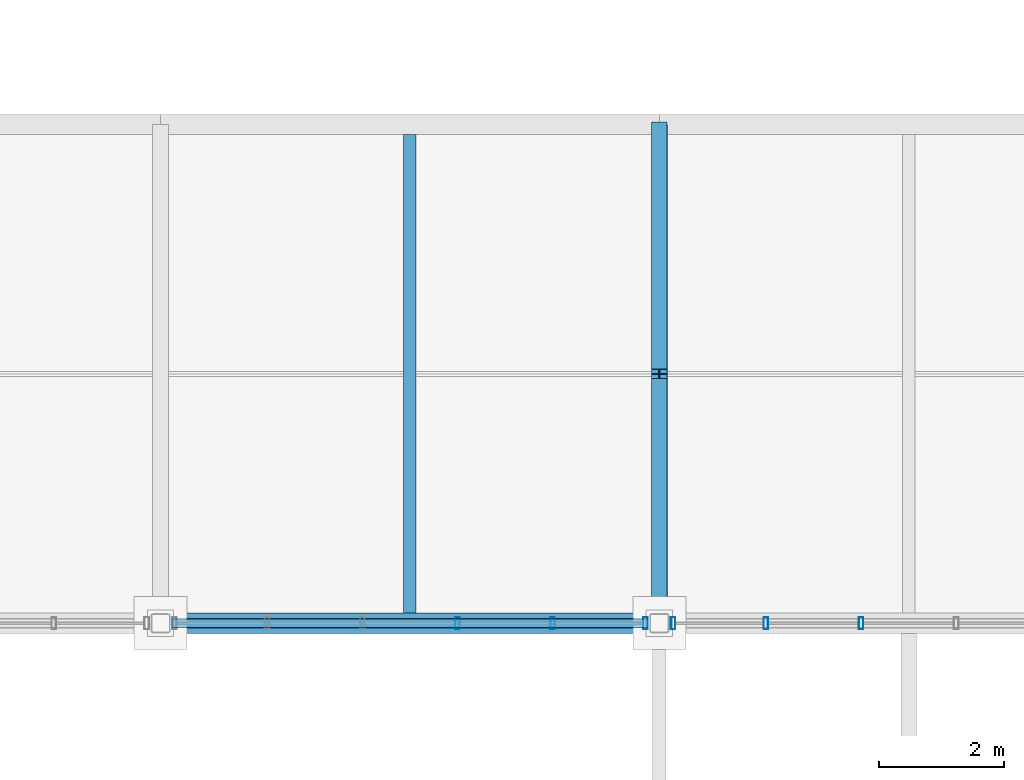
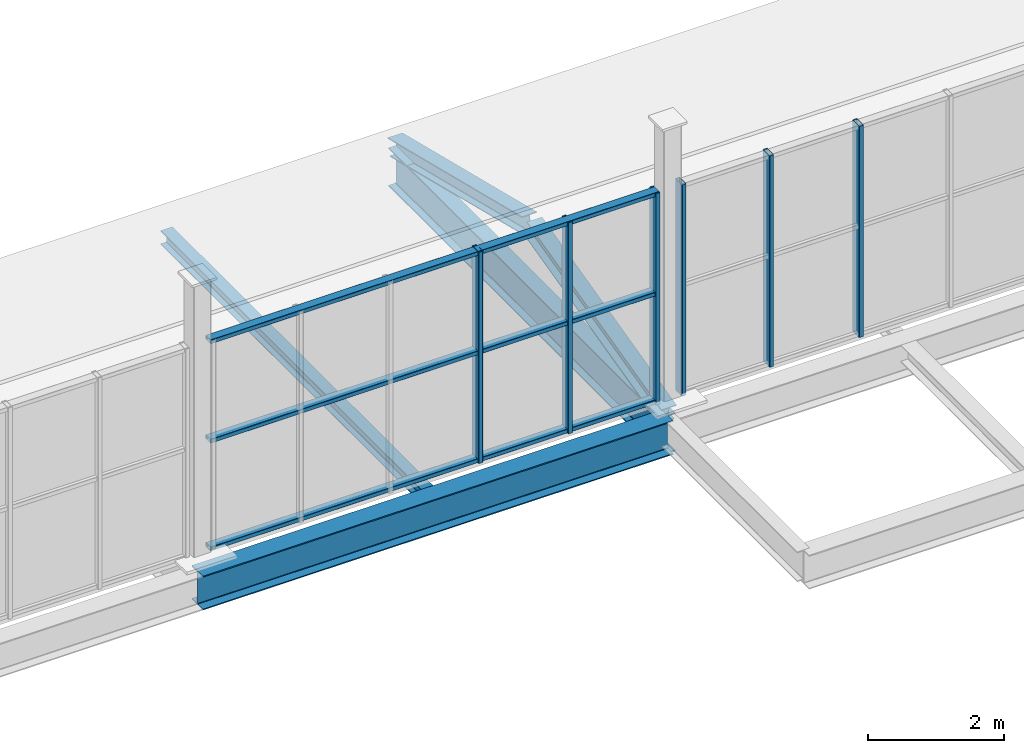
# One storey, part 48 of 96: 11 members, 3 beams, 2 elements without a shape of their own.
"""IFC4 building model written with IfcOpenShell, lengths in metres."""

from ifc_helpers import new_model, si_unit, direction, frame, origin, origin_2d, place, context, subcontext, project, spatial, hollow_rectangle, i_section, extrude, material, material_profile, profile_set, type_object, element, aggregate, save


model = new_model("IFC4")

# Units and contexts
model_context = context("Model", 3, precision=1e-05, world=origin(), true_north=direction((0.0, 1.0)))
body_context = subcontext(model_context, "Body", "Model", "MODEL_VIEW")
ifc_project = project(units=[si_unit("LENGTHUNIT", "METRE"), si_unit("AREAUNIT", "SQUARE_METRE"), si_unit("VOLUMEUNIT", "CUBIC_METRE"), si_unit("PLANEANGLEUNIT", "RADIAN"), si_unit("MASSUNIT", "GRAM", prefix="KILO")], contexts=[model_context])

# Site, building, storey
site_placement = place(None, origin())
site = spatial("IfcSite", under=ifc_project, at=site_placement, CompositionType="ELEMENT")
building_placement = place(site_placement, origin())
building = spatial("IfcBuilding", under=site, at=building_placement, Name="Verrall Gate Interchange", CompositionType="ELEMENT")
storey_placement = place(building_placement, frame((0.0, 0.0, 11.39990234375)))
storey = spatial("IfcBuildingStorey", under=building, at=storey_placement, Name="L03", CompositionType="ELEMENT", Elevation=11.39990234375)

# Beams
ifc_material_1 = material(Name="Structural Steel CSA G40.21 350WT Cat 4", Category="steel")
ifc_material_profile_1 = material_profile(ifc_material_1, i_section(OverallWidth=0.256103515625, OverallDepth=0.693115234375, WebThickness=0.01318359375, FlangeThickness=0.02001953125, FilletRadius=0.01611328125, at=origin_2d()), Name="W690x170")
ifc_profile_set_1 = profile_set([ifc_material_profile_1], Name="Structural Steel CSA G40.21 350WT Cat 4")
beam_type_1 = type_object("IfcBeamType", Name="B-07 Structural Beam W690x170", PredefinedType="BEAM", material=ifc_profile_set_1)
beam_1_placement = place(storey_placement, frame((76.0, 48.0, -0.676513671875), z_axis=(0.0, 1.0, 0.0), x_axis=(-1.0, 0.0, 0.0)))
element("IfcBeam", 1, at=beam_1_placement, inside=storey, type_object=beam_type_1, Name="L03 Girder BM-L03-2295 (B-07)", PredefinedType="BEAM", context=body_context, shape_type="SweptSolid", body=[
    extrude(i_section(OverallWidth=0.256103515625, OverallDepth=0.693115234375, WebThickness=0.01318359375, FlangeThickness=0.02001953125, FilletRadius=0.01611328125, at=origin_2d()), origin(), (0.0, 0.0, 1.0), 8.0),
])
ifc_material_2 = material(Name="Structural Steel CSA G40.21 350WT Cat 4", Category="steel")
ifc_material_profile_2 = material_profile(ifc_material_2, i_section(OverallWidth=0.323974609375, OverallDepth=0.611083984375, WebThickness=0.0126953125, FlangeThickness=0.01904296875, FilletRadius=0.014892578125, at=origin_2d()), Name="W610x155")
ifc_profile_set_2 = profile_set([ifc_material_profile_2], Name="Structural Steel CSA G40.21 350WT Cat 4")
beam_type_2 = type_object("IfcBeamType", Name="B-08 Structural Beam W610x155", PredefinedType="BEAM", material=ifc_profile_set_2)
beam_2_placement = place(storey_placement, frame((68.0, 48.0, -0.635498046875), z_axis=(1.0, 0.0, 0.0), x_axis=(0.0, 1.0, 0.0)))
element("IfcBeam", 2, at=beam_2_placement, inside=storey, type_object=beam_type_2, Name="L03 Girder BM-L03-2114 (B-08)", PredefinedType="BEAM", context=body_context, shape_type="SweptSolid", body=[
    extrude(i_section(OverallWidth=0.323974609375, OverallDepth=0.611083984375, WebThickness=0.0126953125, FlangeThickness=0.01904296875, FilletRadius=0.014892578125, at=origin_2d()), origin(), (0.0, 0.0, 1.0), 8.0),
])

# Curtain wall, members
ifc_material_3 = material(Name="Thermally Broken Anodized Aluminium Curtain Wall Framing", Category="aluminium")
curtain_wall_type = type_object("IfcCurtainWallType", Name="CW-53 Unitized Curtain Wall 7631x3800", PredefinedType="NOTDEFINED", material=ifc_material_3)
curtain_wall_1_placement = place(storey_placement, origin())
curtain_wall_1 = element("IfcCurtainWall", 3, at=curtain_wall_1_placement, inside=storey, type_object=curtain_wall_type, Name="L03 Unitized Curtain Wall CW-L03-CLR-177", PredefinedType="NOTDEFINED")
ifc_material_4 = material(Name="Thermally Broken Anodized Aluminium Curtain Wall Framing", Category="aluminium")
ifc_material_profile_3 = material_profile(ifc_material_4, hollow_rectangle(XDim=0.074951171875, YDim=0.199951171875, WallThickness=0.0048828125, InnerFilletRadius=0.0048828125, OuterFilletRadius=0.010009765625, at=origin_2d()), Name="CWM200x75x5")
ifc_profile_set_3 = profile_set([ifc_material_profile_3], Name="Thermally Broken Anodized Aluminium Curtain Wall Framing")
member_type_1 = type_object("IfcMemberType", Name="CM-02 Curtain Mullion CWM200x75x5", PredefinedType="MULLION", material=ifc_profile_set_3)
member_1_placement = place(storey_placement, frame((72.76318359375, 48.0, 0.0), z_axis=(0.0, 0.0, 1.0), x_axis=(1.0, 0.0, 0.0)))
member_1 = element("IfcMember", 4, at=member_1_placement, type_object=member_type_1, Name="CW-L03-CLR-177 Mullion 4", PredefinedType="MULLION", context=body_context, shape_type="SweptSolid", body=[
    extrude(hollow_rectangle(XDim=0.074951171875, YDim=0.199951171875, WallThickness=0.0048828125, InnerFilletRadius=0.0048828125, OuterFilletRadius=0.010009765625, at=origin_2d()), origin(), (0.0, 0.0, 1.0), 3.800048828125),
])
member_2_placement = place(storey_placement, frame((74.289306640625, 48.0, 0.0), z_axis=(0.0, 0.0, 1.0), x_axis=(1.0, 0.0, 0.0)))
member_2 = element("IfcMember", 5, at=member_2_placement, type_object=member_type_1, Name="CW-L03-CLR-177 Mullion 5", PredefinedType="MULLION", context=body_context, shape_type="SweptSolid", body=[
    extrude(hollow_rectangle(XDim=0.074951171875, YDim=0.199951171875, WallThickness=0.0048828125, InnerFilletRadius=0.0048828125, OuterFilletRadius=0.010009765625, at=origin_2d()), origin(), (0.0, 0.0, 1.0), 3.800048828125),
])
member_3_placement = place(storey_placement, frame((75.778076171875, 48.0, 0.0), z_axis=(0.0, 0.0, 1.0), x_axis=(1.0, 0.0, 0.0)))
member_3 = element("IfcMember", 6, at=member_3_placement, type_object=member_type_1, Name="CW-L03-CLR-177 Mullion 6", PredefinedType="MULLION", context=body_context, shape_type="SweptSolid", body=[
    extrude(hollow_rectangle(XDim=0.074951171875, YDim=0.199951171875, WallThickness=0.0048828125, InnerFilletRadius=0.0048828125, OuterFilletRadius=0.010009765625, at=origin_2d()), origin(), (0.0, 0.0, 1.0), 3.800048828125),
])

curtain_wall_2_placement = place(storey_placement, origin())
curtain_wall_2 = element("IfcCurtainWall", 7, at=curtain_wall_2_placement, inside=storey, type_object=curtain_wall_type, Name="L03 Unitized Curtain Wall CW-L03-CLR-178", PredefinedType="NOTDEFINED")
member_4_placement = place(storey_placement, frame((76.221923828125, 48.0, 0.0), z_axis=(0.0, 0.0, 1.0), x_axis=(1.0, 0.0, 0.0)))
member_4 = element("IfcMember", 8, at=member_4_placement, type_object=member_type_1, Name="CW-L03-CLR-178 Mullion 1", PredefinedType="MULLION", context=body_context, shape_type="SweptSolid", body=[
    extrude(hollow_rectangle(XDim=0.074951171875, YDim=0.199951171875, WallThickness=0.0048828125, InnerFilletRadius=0.0048828125, OuterFilletRadius=0.010009765625, at=origin_2d()), origin(), (0.0, 0.0, 1.0), 3.800048828125),
])
member_5_placement = place(storey_placement, frame((77.710693359375, 48.0, 0.0), z_axis=(0.0, 0.0, 1.0), x_axis=(1.0, 0.0, 0.0)))
member_5 = element("IfcMember", 9, at=member_5_placement, type_object=member_type_1, Name="CW-L03-CLR-178 Mullion 2", PredefinedType="MULLION", context=body_context, shape_type="SweptSolid", body=[
    extrude(hollow_rectangle(XDim=0.074951171875, YDim=0.199951171875, WallThickness=0.0048828125, InnerFilletRadius=0.0048828125, OuterFilletRadius=0.010009765625, at=origin_2d()), origin(), (0.0, 0.0, 1.0), 3.800048828125),
])
member_6_placement = place(storey_placement, frame((79.23681640625, 48.0, 0.0), z_axis=(0.0, 0.0, 1.0), x_axis=(1.0, 0.0, 0.0)))
member_6 = element("IfcMember", 10, at=member_6_placement, type_object=member_type_1, Name="CW-L03-CLR-178 Mullion 3", PredefinedType="MULLION", context=body_context, shape_type="SweptSolid", body=[
    extrude(hollow_rectangle(XDim=0.074951171875, YDim=0.199951171875, WallThickness=0.0048828125, InnerFilletRadius=0.0048828125, OuterFilletRadius=0.010009765625, at=origin_2d()), origin(), (0.0, 0.0, 1.0), 3.800048828125),
])
aggregate(curtain_wall_2, [member_4, member_5, member_6])

# Member
ifc_material_5 = material(Name="Thermally Broken Anodized Aluminium Curtain Wall Framing", Category="aluminium")
ifc_material_profile_4 = material_profile(ifc_material_5, hollow_rectangle(XDim=0.14990234375, YDim=0.074951171875, WallThickness=0.00439453125, InnerFilletRadius=0.00439453125, OuterFilletRadius=0.009033203125, at=origin_2d()), Name="CWT150x75x4.5")
ifc_profile_set_4 = profile_set([ifc_material_profile_4], Name="Thermally Broken Anodized Aluminium Curtain Wall Framing")
member_type_2 = type_object("IfcMemberType", Name="CT-02 Curtain Transom CWT150x75x4.5", PredefinedType="USERDEFINED", material=ifc_profile_set_4)
member_7_placement = place(storey_placement, frame((68.1845703125, 48.0, 0.03759765625), z_axis=(1.0, 0.0, 0.0), x_axis=(0.0, 1.0, 0.0)))
member_7 = element("IfcMember", 11, at=member_7_placement, type_object=member_type_2, Name="CW-L03-CLR-177 Transom 1", ObjectType="TRANSOM", PredefinedType="USERDEFINED", context=body_context, shape_type="SweptSolid", body=[
    extrude(hollow_rectangle(XDim=0.14990234375, YDim=0.074951171875, WallThickness=0.00439453125, InnerFilletRadius=0.00439453125, OuterFilletRadius=0.009033203125, at=origin_2d()), origin(), (0.0, 0.0, 1.0), 7.630859375),
])

member_8_placement = place(storey_placement, frame((68.1845703125, 48.0, 1.97607421875), z_axis=(1.0, 0.0, 0.0), x_axis=(0.0, 1.0, 0.0)))
member_8 = element("IfcMember", 12, at=member_8_placement, type_object=member_type_2, Name="CW-L03-CLR-177 Transom 2", ObjectType="TRANSOM", PredefinedType="USERDEFINED", context=body_context, shape_type="SweptSolid", body=[
    extrude(hollow_rectangle(XDim=0.14990234375, YDim=0.074951171875, WallThickness=0.00439453125, InnerFilletRadius=0.00439453125, OuterFilletRadius=0.009033203125, at=origin_2d()), origin(), (0.0, 0.0, 1.0), 7.630859375),
])

member_9_placement = place(storey_placement, frame((68.1845703125, 48.0, 3.7626953125), z_axis=(1.0, 0.0, 0.0), x_axis=(0.0, 1.0, 0.0)))
member_9 = element("IfcMember", 13, at=member_9_placement, type_object=member_type_2, Name="CW-L03-CLR-177 Transom 3", ObjectType="TRANSOM", PredefinedType="USERDEFINED", context=body_context, shape_type="SweptSolid", body=[
    extrude(hollow_rectangle(XDim=0.14990234375, YDim=0.074951171875, WallThickness=0.00439453125, InnerFilletRadius=0.00439453125, OuterFilletRadius=0.009033203125, at=origin_2d()), origin(), (0.0, 0.0, 1.0), 7.630859375),
])

aggregate(curtain_wall_1, [member_1, member_2, member_3, member_7, member_8, member_9])

# Beam
ifc_material_6 = material(Name="Structural Steel CSA G40.21 350W", Category="steel")
ifc_material_profile_5 = material_profile(ifc_material_6, i_section(OverallWidth=0.201904296875, OverallDepth=0.2470703125, WebThickness=0.00732421875, FlangeThickness=0.010986328125, FilletRadius=0.010986328125, at=origin_2d()), Name="W250x49")
ifc_profile_set_5 = profile_set([ifc_material_profile_5], Name="Structural Steel CSA G40.21 350W")
beam_type_3 = type_object("IfcBeamType", Name="J-06 Floor Joist W250x49", PredefinedType="JOIST", material=ifc_profile_set_5)
beam_3_placement = place(storey_placement, frame((72.0, 48.162109375, -0.453369140625), z_axis=(0.0, 1.0, 0.0), x_axis=(-1.0, 0.0, 0.0)))
element("IfcBeam", 14, at=beam_3_placement, inside=storey, type_object=beam_type_3, Name="L03 Secondary Floor Joist JST-L03-2487", PredefinedType="JOIST", context=body_context, shape_type="SweptSolid", body=[
    extrude(i_section(OverallWidth=0.201904296875, OverallDepth=0.2470703125, WebThickness=0.00732421875, FlangeThickness=0.010986328125, FilletRadius=0.010986328125, at=origin_2d()), origin(), (0.0, 0.0, 1.0), 7.67578125),
])

# Members
ifc_material_7 = material(Name="Structural Steel CSA G40.21 350WT Cat 4", Category="steel")
ifc_material_profile_6 = material_profile(ifc_material_7, i_section(OverallWidth=0.25390625, OverallDepth=0.305908203125, WebThickness=0.0087890625, FlangeThickness=0.0146484375, FilletRadius=0.012939453125, at=origin_2d()), Name="W310x79")
ifc_profile_set_6 = profile_set([ifc_material_profile_6], Name="Structural Steel CSA G40.21 350WT Cat 4")
member_type_3 = type_object("IfcMemberType", Name="RF-03 Folded Roof Rafter W310x79", PredefinedType="RAFTER", material=ifc_profile_set_6)
for number, where, z_axis, x_axis, name in (
    (15, (76.0, 48.0, -0.31982421875), (0.0, 0.970717098228, 0.240225550696), (-1.0, 0.0, 0.0), "Gallery Roof Rafter S 76"),
    (16, (76.0, 56.0, -0.31982421875), (0.0, -0.970717098228, 0.240225550696), (1.0, 0.0, 0.0), "Gallery Roof Rafter N 76"),
):
    element("IfcMember", number, at=place(storey_placement, frame(where, z_axis=z_axis, x_axis=x_axis)), inside=storey, type_object=member_type_3, Name=name, PredefinedType="RAFTER", context=body_context, shape_type="SweptSolid", body=[
        extrude(i_section(OverallWidth=0.25390625, OverallDepth=0.305908203125, WebThickness=0.0087890625, FlangeThickness=0.0146484375, FilletRadius=0.012939453125, at=origin_2d()), origin(), (0.0, 0.0, 1.0), 4.079345703125),
    ])

save(model, "model.ifc")
